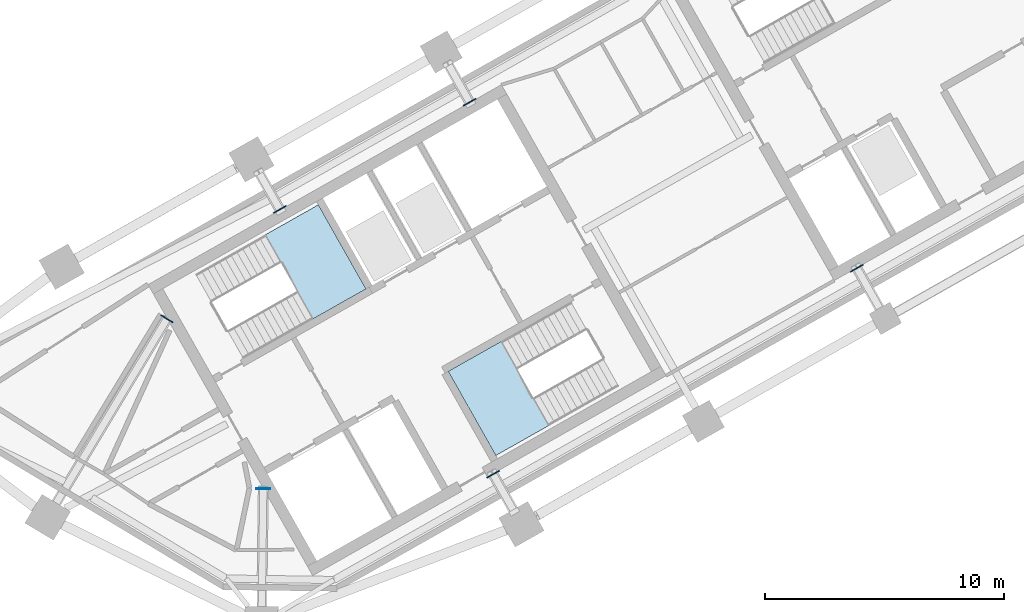
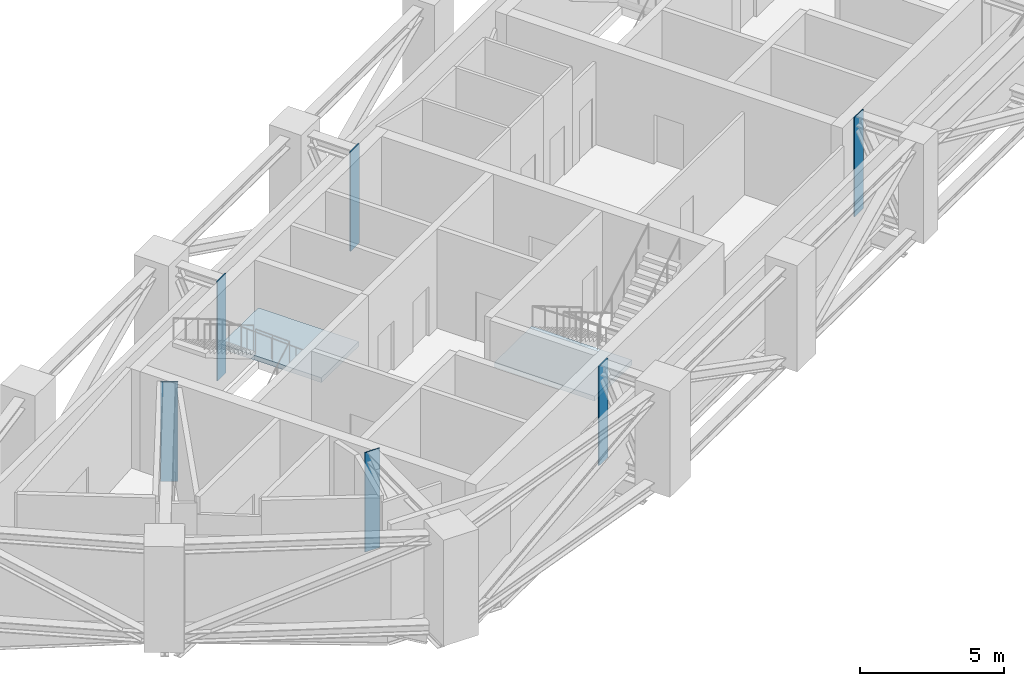
# One storey, part 5 of 13: 6 plates, 2 slabs, 2 elements without a shape of their own.
"""IFC4 building model written with IfcOpenShell, lengths in metres."""

import ifcopenshell
import ifcopenshell.guid

model = None  # the IFC model being written
_history = None  # IfcOwnerHistory: only IFC2X3 demands one
_inside = {}  # id of a spatial element -> (the spatial element, [elements in it])
_under = {}  # id of a project, library or spatial element -> (it, [spatial elements below it])
_declared = {}  # id of a project -> (the project, [libraries it declares])
_typed = {}  # id of a type object -> (the type object, [elements of that type])
_made_of = {}  # id of a material, layer set ... -> (it, [elements and type objects made of it])


def new_model(schema):
    """Start an empty IFC model of exactly this schema.

    Asked for "IFC4X3", IfcOpenShell would pick the latest addendum, in which some entities
    have other attributes; the version numbers below select the first issue.
    IFC2X3 requires an IfcOwnerHistory on every rooted entity: one is made here for all.
    """
    global model, _history
    if schema == "IFC4X3":
        model = ifcopenshell.file(schema_version=(4, 3, 0, 0))
    else:
        model = ifcopenshell.file(schema=schema)
    _inside.clear()
    _under.clear()
    _declared.clear()
    _typed.clear()
    _made_of.clear()
    _history = None
    if model.schema == "IFC2X3":
        org = make("IfcOrganization", Name="unknown")
        user = make(
            "IfcPersonAndOrganization",
            ThePerson=make("IfcPerson", FamilyName="unknown"),
            TheOrganization=org,
        )
        app = make(
            "IfcApplication",
            ApplicationDeveloper=org,
            Version="unknown",
            ApplicationFullName="unknown",
            ApplicationIdentifier="unknown",
        )
        _history = make(
            "IfcOwnerHistory",
            OwningUser=user,
            OwningApplication=app,
            ChangeAction="ADDED",
            CreationDate=0,
        )
    return model


def make(cls, **values):
    """One entity of the class cls with the attributes given. An attribute that is None is left unset."""
    return model.create_entity(
        cls, **{name: value for name, value in values.items() if value is not None}
    )


def rooted(cls, **values):
    """An entity with a GlobalId (a new one), such as an element, a storey or a relation."""
    return make(cls, GlobalId=ifcopenshell.guid.new(), OwnerHistory=_history, **values)


def si_unit(unit_type, name, prefix=None):
    """IfcSIUnit, for example si_unit("LENGTHUNIT", "METRE", prefix="MILLI")."""
    return make("IfcSIUnit", UnitType=unit_type, Prefix=prefix, Name=name)


def assignment(units):
    """IfcUnitAssignment: the units of a project."""
    return None if units is None else make("IfcUnitAssignment", Units=units)


def point(xyz):
    """IfcCartesianPoint."""
    return None if xyz is None else make("IfcCartesianPoint", Coordinates=xyz)


def direction(xyz):
    """IfcDirection."""
    return None if xyz is None else make("IfcDirection", DirectionRatios=xyz)


def frame(location, z_axis=None, x_axis=None):
    """IfcAxis2Placement3D, a coordinate frame: its origin and axes. An axis left out is left unset."""
    return make(
        "IfcAxis2Placement3D",
        Location=point(location),
        Axis=direction(z_axis),
        RefDirection=direction(x_axis),
    )


def frame_2d(location, x_axis=None):
    """IfcAxis2Placement2D, a coordinate frame in the plane: its origin and x axis."""
    return make(
        "IfcAxis2Placement2D", Location=point(location), RefDirection=direction(x_axis)
    )


def origin():
    """The frame at (0, 0, 0) with its axes left unset."""
    return frame((0.0, 0.0, 0.0))


def origin_2d():
    """The frame at (0, 0) in the plane with its x axis left unset."""
    return frame_2d((0.0, 0.0))


def place(relative_to, where):
    """IfcLocalPlacement: puts the frame where relative to a parent placement (None: the world)."""
    return make(
        "IfcLocalPlacement", PlacementRelTo=relative_to, RelativePlacement=where
    )


def context(
    kind, dimensions, precision=None, world=None, true_north=None, identifier=None
):
    """IfcGeometricRepresentationContext, for example the 3D "Model" context."""
    return make(
        "IfcGeometricRepresentationContext",
        ContextIdentifier=identifier,
        ContextType=kind,
        CoordinateSpaceDimension=dimensions,
        Precision=precision,
        WorldCoordinateSystem=world,
        TrueNorth=true_north,
    )


def subcontext(parent, identifier, kind, view, scale=None):
    """IfcGeometricRepresentationSubContext, for example "Body" below "Model"."""
    return make(
        "IfcGeometricRepresentationSubContext",
        ContextIdentifier=identifier,
        ContextType=kind,
        ParentContext=parent,
        TargetScale=scale,
        TargetView=view,
    )


def project(units=None, contexts=None):
    """IfcProject with its units and contexts."""
    return rooted(
        "IfcProject",
        Name="project",
        RepresentationContexts=contexts,
        UnitsInContext=assignment(units),
    )


def spatial(cls, under=None, at=None, **own):
    """A site, building, storey or space (cls), placed at a placement, below another one or the project."""
    s = rooted(cls, ObjectPlacement=at, **own)
    if under is not None:
        _under.setdefault(under.id(), (under, []))[1].append(s)
    return s


def polyline(points):
    """IfcPolyline through the points."""
    return make("IfcPolyline", Points=[point(p) for p in points])


def profile(cls, at=None, kind="AREA", **sizes):
    """A parametric profile (cls). Its sizes go by their IFC names, for example OverallWidth=200.0."""
    return make(cls, ProfileType=kind, Position=at, **sizes)


def rectangle(**sizes):
    """IfcRectangleProfileDef."""
    return profile("IfcRectangleProfileDef", **sizes)


def outline(outer, holes=None, kind="AREA"):
    """IfcArbitraryClosedProfileDef: a profile drawn as a closed curve; with holes, ...WithVoids."""
    if holes is None:
        return make("IfcArbitraryClosedProfileDef", ProfileType=kind, OuterCurve=outer)
    return make(
        "IfcArbitraryProfileDefWithVoids",
        ProfileType=kind,
        OuterCurve=outer,
        InnerCurves=holes,
    )


def extrude(swept, where, along, depth):
    """IfcExtrudedAreaSolid: the profile swept, set in the frame where, extruded along a direction by depth."""
    return make(
        "IfcExtrudedAreaSolid",
        SweptArea=swept,
        Position=where,
        ExtrudedDirection=direction(along),
        Depth=depth,
    )


def shape(context_of_items, identifier, shape_type, items):
    """IfcShapeRepresentation: the items that make up one representation, for example the "Body"."""
    return make(
        "IfcShapeRepresentation",
        ContextOfItems=context_of_items,
        RepresentationIdentifier=identifier,
        RepresentationType=shape_type,
        Items=items,
    )


def material(Name=None, Category=None):
    """IfcMaterial."""
    return make("IfcMaterial", Name=Name, Category=Category)


def layer(
    of_material, thickness, ventilated=None, Name=None, Category=None, Priority=None
):
    """IfcMaterialLayer: one layer of a wall or slab, of a material (None: an air gap)."""
    return make(
        "IfcMaterialLayer",
        Material=of_material,
        LayerThickness=thickness,
        IsVentilated=ventilated,
        Name=Name,
        Category=Category,
        Priority=Priority,
    )


def layer_set(layers, Name=None):
    """IfcMaterialLayerSet."""
    return make("IfcMaterialLayerSet", MaterialLayers=layers, LayerSetName=Name)


def made_of(thing, what):
    """Note that an element or type object is made of a material, layer set ...; save() writes the relation."""
    if what is not None:
        _made_of.setdefault(what.id(), (what, []))[1].append(thing)
    return thing


def type_object(cls, material=None, **own):
    """A type object (cls), such as IfcWallType, which elements share."""
    return made_of(rooted(cls, **own), material)


def element(
    cls,
    number,
    at=None,
    inside=None,
    cuts=None,
    type_object=None,
    material=None,
    context=None,
    identifier="Body",
    shape_type=None,
    held_by="IfcProductDefinitionShape",
    body=None,
    shapes=None,
    **own,
):
    """One element of the class cls, such as IfcWall. Its Tag is "e" and its number.

    at: its placement. inside: the storey or other place that contains it. cuts: it is an
    opening in that element (IfcRelVoidsElement). A single representation is given by context,
    identifier, shape_type and body (its items); several are given by shapes. held_by: the class
    of the entity that holds the representations. save() writes the other relations.
    """
    e = rooted(cls, Tag="e%d" % number, ObjectPlacement=at, **own)
    if body is not None:
        shapes = [shape(context, identifier, shape_type, body)]
    if shapes is not None:
        e.Representation = make(held_by, Representations=shapes)
    if inside is not None:
        _inside.setdefault(inside.id(), (inside, []))[1].append(e)
    if cuts is not None:
        rooted(
            "IfcRelVoidsElement", RelatingBuildingElement=cuts, RelatedOpeningElement=e
        )
    if type_object is not None:
        _typed.setdefault(type_object.id(), (type_object, []))[1].append(e)
    return made_of(e, material)


def aggregate(whole, parts):
    """IfcRelAggregates: a whole, such as a stair, and the parts it consists of."""
    return rooted("IfcRelAggregates", RelatingObject=whole, RelatedObjects=parts)


def save(model, path):
    """Write the relations noted so far, then the file.

    IfcRelAggregates (storeys below a building ...), IfcRelContainedInSpatialStructure (elements
    in a storey), IfcRelDefinesByType, IfcRelAssociatesMaterial and IfcRelDeclares: one each for
    every whole, place, type object, material and project.
    """
    for whole, parts in _under.values():
        aggregate(whole, parts)
    for where, things in _inside.values():
        rooted(
            "IfcRelContainedInSpatialStructure",
            RelatedElements=things,
            RelatingStructure=where,
        )
    for kind, things in _typed.values():
        rooted("IfcRelDefinesByType", RelatedObjects=things, RelatingType=kind)
    for what, things in _made_of.values():
        rooted("IfcRelAssociatesMaterial", RelatedObjects=things, RelatingMaterial=what)
    for by, libraries in _declared.values():
        rooted("IfcRelDeclares", RelatingContext=by, RelatedDefinitions=libraries)
    model.write(path)


model = new_model("IFC4")

# Units and contexts
model_context = context("Model", 3, precision=1e-05, world=origin(), true_north=direction((0.0, 1.0)))
body_context = subcontext(model_context, "Body", "Model", "MODEL_VIEW")
ifc_project = project(units=[si_unit("LENGTHUNIT", "METRE"), si_unit("AREAUNIT", "SQUARE_METRE"), si_unit("VOLUMEUNIT", "CUBIC_METRE"), si_unit("PLANEANGLEUNIT", "RADIAN"), si_unit("MASSUNIT", "GRAM", prefix="KILO")], contexts=[model_context])

# Site, building, storey
site_placement = place(None, origin())
site = spatial("IfcSite", under=ifc_project, at=site_placement, CompositionType="ELEMENT")
building_placement = place(site_placement, origin())
building = spatial("IfcBuilding", under=site, at=building_placement, Name="Binnacle Exchange Tower", CompositionType="ELEMENT")
storey_placement = place(building_placement, frame((0.0, 0.0, 258.199951171875)))
storey = spatial("IfcBuildingStorey", under=building, at=storey_placement, Name="L57", CompositionType="ELEMENT", Elevation=258.199951171875)

# Plates
ifc_material_1 = material(Name="Steel S355 (SM355)", Category="steel")
ifc_layer_1 = layer(ifc_material_1, 0.0400390625)
ifc_layer_set_1 = layer_set([ifc_layer_1], Name="Cast-in plate 40")
plate_type = type_object("IfcPlateType", Name="Cast-in plate 40", PredefinedType="SHEET", material=ifc_layer_set_1)
for number, where, z_axis, x_axis, name in (
    (1, (-45.818603515625, 40.2412109375, 0.0), (0.0, 0.0, 1.0), (0.51503807491, 0.857167300702, 0.0), "Cast-in plate CP-OT57 40"),
    (2, (-41.091064453125, 44.8173828125, 0.0), (0.0, 0.0, 1.0), (0.492423560103, -0.87035569594, 0.0), "Cast-in plate CP-OT57 40"),
    (3, (-41.783935546875, 33.125, 0.0), (0.0, 0.0, 1.0), (0.013089595571, 0.999914327574, 0.0), "Cast-in plate CP-OT57 40"),
    (4, (-33.14501953125, 49.31298828125, 0.0), (0.0, 0.0, 1.0), (0.492423560103, -0.87035569594, 0.0), "Cast-in plate CP-OT57 40"),
    (5, (-32.164306640625, 33.736572265625, 0.0), (0.0, 0.0, 1.0), (-0.492423560103, 0.87035569594, 0.0), "Cast-in plate CP-OT57 40"),
    (6, (-16.92529296875, 42.3583984375, 0.0), (0.0, 0.0, 1.0), (-0.492423560103, 0.87035569594, 0.0), "Cast-in plate CP-OT57 40"),
):
    element("IfcPlate", number, at=place(storey_placement, frame(where, z_axis=z_axis, x_axis=x_axis)), inside=storey, type_object=plate_type, Name=name, PredefinedType="SHEET", context=body_context, shape_type="SweptSolid", body=[
        extrude(rectangle(XDim=0.0400390625, YDim=0.60009765625, at=origin_2d()), origin(), (0.0, 0.0, 1.0), 4.219970703125),
    ])

# Stair, slab
ifc_material_2 = material(Name="Concrete C35/45", Category="concrete")
stair_type = type_object("IfcStairType", Name="STAIR 26 RISERS 173", PredefinedType="HALF_TURN_STAIR", material=ifc_material_2)
stair_1_placement = place(storey_placement, origin())
stair_1 = element("IfcStair", 7, at=stair_1_placement, inside=storey, type_object=stair_type, Name="L57 Escape stair A1", PredefinedType="HALF_TURN_STAIR")
ifc_layer_2 = layer(ifc_material_2, 0.199951171875)
ifc_layer_set_2 = layer_set([ifc_layer_2], Name="STAIR LANDING 200")
slab_type = type_object("IfcSlabType", Name="STAIR LANDING 200", PredefinedType="LANDING", material=ifc_layer_set_2)
slab_1_placement = place(storey_placement, frame((0.0, 0.0, 2.050048828125)))
slab_1 = element("IfcSlab", 8, at=slab_1_placement, type_object=slab_type, Name="STA1 landing 1", PredefinedType="LANDING", context=body_context, shape_type="SweptSolid", body=[
    extrude(outline(polyline([(-39.714599609375, 40.23046875), (-37.486572265625, 41.4912109375), (-39.48095703125, 45.01611328125), (-41.708984375, 43.755615234375), (-39.714599609375, 40.23046875)])), origin(), (0.0, 0.0, 1.0), 0.199951171875),
])
aggregate(stair_1, [slab_1])

stair_2_placement = place(storey_placement, origin())
stair_2 = element("IfcStair", 9, at=stair_2_placement, inside=storey, type_object=stair_type, Name="L57 Escape stair A2", PredefinedType="HALF_TURN_STAIR")
slab_2_placement = place(storey_placement, frame((0.0, 0.0, 2.050048828125)))
slab_2 = element("IfcSlab", 10, at=slab_2_placement, type_object=slab_type, Name="STA2 landing 1", PredefinedType="LANDING", context=body_context, shape_type="SweptSolid", body=[
    extrude(outline(polyline([(-31.8125, 39.30126953125), (-34.040771484375, 38.04052734375), (-32.04638671875, 34.515625), (-29.818359375, 35.7763671875), (-31.8125, 39.30126953125)])), origin(), (0.0, 0.0, 1.0), 0.199951171875),
])
aggregate(stair_2, [slab_2])

save(model, "model.ifc")
